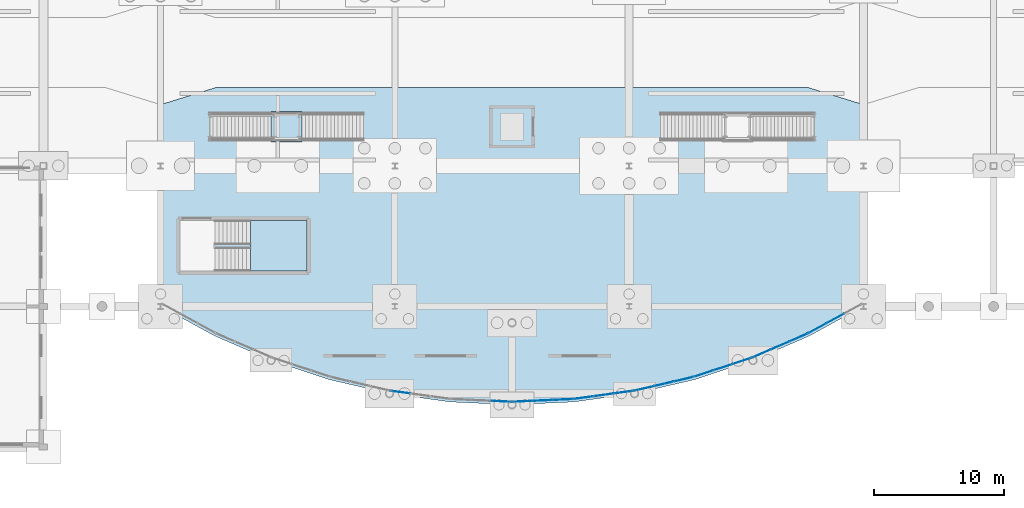
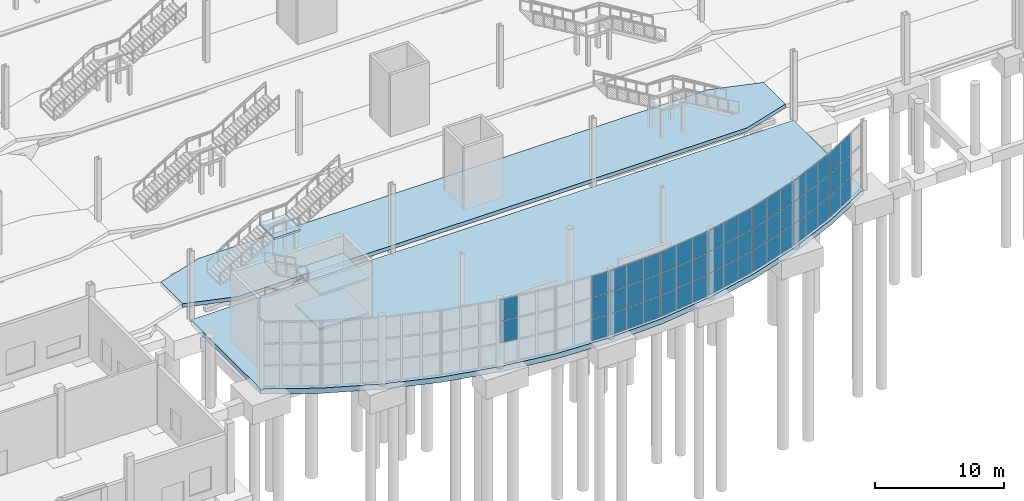
# One storey, part 77 of 115: 56 plates, 5 slabs, 10 elements without a shape of their own.
"""IFC4 building model written with IfcOpenShell, lengths in metres."""

from ifc_helpers import new_model, si_unit, direction, frame, origin, origin_2d, place, context, subcontext, project, spatial, polyline, rectangle, outline, extrude, material, layer, layer_set, type_object, element, aggregate, save


model = new_model("IFC4")

# Units and contexts
model_context = context("Model", 3, precision=1e-05, world=origin(), true_north=direction((0.0, 1.0)))
body_context = subcontext(model_context, "Body", "Model", "MODEL_VIEW")
ifc_project = project(units=[si_unit("LENGTHUNIT", "METRE"), si_unit("AREAUNIT", "SQUARE_METRE"), si_unit("VOLUMEUNIT", "CUBIC_METRE"), si_unit("PLANEANGLEUNIT", "RADIAN"), si_unit("MASSUNIT", "GRAM", prefix="KILO")], contexts=[model_context])

# Site, building, storey
site_placement = place(None, origin())
site = spatial("IfcSite", under=ifc_project, at=site_placement, CompositionType="ELEMENT")
building_placement = place(site_placement, origin())
building = spatial("IfcBuilding", under=site, at=building_placement, Name="Tamarisk Ironworks Central Station", CompositionType="ELEMENT")
storey_placement = place(building_placement, origin())
storey = spatial("IfcBuildingStorey", under=building, at=storey_placement, Name="L00", CompositionType="ELEMENT", Elevation=0.0)

# Curtain wall, plates
ifc_material_1 = material(Name="Anodized aluminium alloy 6063-T6", Category="aluminium")
ifc_layer_1 = layer(ifc_material_1, 0.179931640625)
ifc_layer_set_1 = layer_set([ifc_layer_1], Name="Anodized aluminium alloy 6063-T6")
curtain_wall_type = type_object("IfcCurtainWallType", Name="CW-01", PredefinedType="USERDEFINED", material=ifc_layer_set_1)
curtain_wall_1_placement = place(storey_placement, origin())
curtain_wall_1 = element("IfcCurtainWall", 1, at=curtain_wall_1_placement, inside=storey, type_object=curtain_wall_type, Name="SN rounded entrance hall L00 curtain wall bay 05", ObjectType="GLAZED CURTAIN WALL", PredefinedType="USERDEFINED")
ifc_material_2 = material(Name="Laminated solar-control low-E glass", Category="glass")
ifc_layer_2 = layer(ifc_material_2, 0.028076171875)
ifc_layer_set_2 = layer_set([ifc_layer_2], Name="Laminated solar-control low-E glass")
plate_type = type_object("IfcPlateType", Name="PL-CWP28", PredefinedType="CURTAIN_PANEL", material=ifc_layer_set_2)
plate_1_placement = place(storey_placement, frame((72.423095703125, 4.206787109375, 2.099853515625), z_axis=(0.0, 0.0, 1.0), x_axis=(0.990703108403, -0.136041725218, 0.0)))
plate_1 = element("IfcPlate", 2, at=plate_1_placement, type_object=plate_type, Name="CW01 panel 1.2", PredefinedType="CURTAIN_PANEL", context=body_context, shape_type="SweptSolid", body=[
    extrude(rectangle(XDim=1.484375, YDim=0.028076171875, at=origin_2d()), origin(), (0.0, 0.0, 1.0), 2.0205078125),
])
plate_2_placement = place(storey_placement, frame((72.423095703125, 4.206787109375, 4.173095703125), z_axis=(0.0, 0.0, 1.0), x_axis=(0.990703108403, -0.136041725218, 0.0)))
plate_2 = element("IfcPlate", 3, at=plate_2_placement, type_object=plate_type, Name="CW01 panel 1.3", PredefinedType="CURTAIN_PANEL", context=body_context, shape_type="SweptSolid", body=[
    extrude(rectangle(XDim=1.484375, YDim=0.028076171875, at=origin_2d()), origin(), (0.0, 0.0, 1.0), 1.98779296875),
])
aggregate(curtain_wall_1, [plate_1, plate_2])

curtain_wall_2_placement = place(storey_placement, origin())
curtain_wall_2 = element("IfcCurtainWall", 4, at=curtain_wall_2_placement, inside=storey, type_object=curtain_wall_type, Name="SN rounded entrance hall L00 curtain wall bay 06", ObjectType="GLAZED CURTAIN WALL", PredefinedType="USERDEFINED")
plate_3_placement = place(storey_placement, frame((80.19970703125, 3.49755859375, 0.05908203125), z_axis=(0.0, 0.0, 1.0), x_axis=(0.998965210312, -0.045480859558, 0.0)))
plate_3 = element("IfcPlate", 5, at=plate_3_placement, type_object=plate_type, Name="CW01 panel 3.1", PredefinedType="CURTAIN_PANEL", context=body_context, shape_type="SweptSolid", body=[
    extrude(rectangle(XDim=1.484375, YDim=0.028076171875, at=origin_2d()), origin(), (0.0, 0.0, 1.0), 1.98779296875),
])
plate_4_placement = place(storey_placement, frame((80.19970703125, 3.49755859375, 2.099853515625), z_axis=(0.0, 0.0, 1.0), x_axis=(0.998965210312, -0.045480859558, 0.0)))
plate_4 = element("IfcPlate", 6, at=plate_4_placement, type_object=plate_type, Name="CW01 panel 3.2", PredefinedType="CURTAIN_PANEL", context=body_context, shape_type="SweptSolid", body=[
    extrude(rectangle(XDim=1.484375, YDim=0.028076171875, at=origin_2d()), origin(), (0.0, 0.0, 1.0), 2.0205078125),
])
plate_5_placement = place(storey_placement, frame((80.19970703125, 3.49755859375, 4.173095703125), z_axis=(0.0, 0.0, 1.0), x_axis=(0.998965210312, -0.045480859558, 0.0)))
plate_5 = element("IfcPlate", 7, at=plate_5_placement, type_object=plate_type, Name="CW01 panel 3.3", PredefinedType="CURTAIN_PANEL", context=body_context, shape_type="SweptSolid", body=[
    extrude(rectangle(XDim=1.484375, YDim=0.028076171875, at=origin_2d()), origin(), (0.0, 0.0, 1.0), 1.98779296875),
])
aggregate(curtain_wall_2, [plate_3, plate_4, plate_5])

curtain_wall_3_placement = place(storey_placement, origin())
curtain_wall_3 = element("IfcCurtainWall", 8, at=curtain_wall_3_placement, inside=storey, type_object=curtain_wall_type, Name="SN rounded entrance hall L00 curtain wall bay 07", ObjectType="GLAZED CURTAIN WALL", PredefinedType="USERDEFINED")
plate_6_placement = place(storey_placement, frame((81.80029296875, 3.49755859375, 0.05908203125), z_axis=(0.0, 0.0, 1.0), x_axis=(0.998965210312, 0.045480859558, 0.0)))
plate_6 = element("IfcPlate", 9, at=plate_6_placement, type_object=plate_type, Name="CW01 panel 1.1", PredefinedType="CURTAIN_PANEL", context=body_context, shape_type="SweptSolid", body=[
    extrude(rectangle(XDim=1.484375, YDim=0.028076171875, at=origin_2d()), origin(), (0.0, 0.0, 1.0), 1.98779296875),
])
plate_7_placement = place(storey_placement, frame((81.80029296875, 3.49755859375, 2.099853515625), z_axis=(0.0, 0.0, 1.0), x_axis=(0.998965210312, 0.045480859558, 0.0)))
plate_7 = element("IfcPlate", 10, at=plate_7_placement, type_object=plate_type, Name="CW01 panel 1.2", PredefinedType="CURTAIN_PANEL", context=body_context, shape_type="SweptSolid", body=[
    extrude(rectangle(XDim=1.484375, YDim=0.028076171875, at=origin_2d()), origin(), (0.0, 0.0, 1.0), 2.0205078125),
])
plate_8_placement = place(storey_placement, frame((81.80029296875, 3.49755859375, 4.173095703125), z_axis=(0.0, 0.0, 1.0), x_axis=(0.998965210312, 0.045480859558, 0.0)))
plate_8 = element("IfcPlate", 11, at=plate_8_placement, type_object=plate_type, Name="CW01 panel 1.3", PredefinedType="CURTAIN_PANEL", context=body_context, shape_type="SweptSolid", body=[
    extrude(rectangle(XDim=1.484375, YDim=0.028076171875, at=origin_2d()), origin(), (0.0, 0.0, 1.0), 1.98779296875),
])
plate_9_placement = place(storey_placement, frame((83.352294921875, 3.568115234375, 0.05908203125), z_axis=(0.0, 0.0, 1.0), x_axis=(0.998965210312, 0.045480859558, 0.0)))
plate_9 = element("IfcPlate", 12, at=plate_9_placement, type_object=plate_type, Name="CW01 panel 2.1", PredefinedType="CURTAIN_PANEL", context=body_context, shape_type="SweptSolid", body=[
    extrude(rectangle(XDim=1.516845703125, YDim=0.028076171875, at=origin_2d()), origin(), (0.0, 0.0, 1.0), 1.98779296875),
])
plate_10_placement = place(storey_placement, frame((83.352294921875, 3.568115234375, 2.099853515625), z_axis=(0.0, 0.0, 1.0), x_axis=(0.998965210312, 0.045480859558, 0.0)))
plate_10 = element("IfcPlate", 13, at=plate_10_placement, type_object=plate_type, Name="CW01 panel 2.2", PredefinedType="CURTAIN_PANEL", context=body_context, shape_type="SweptSolid", body=[
    extrude(rectangle(XDim=1.516845703125, YDim=0.028076171875, at=origin_2d()), origin(), (0.0, 0.0, 1.0), 2.0205078125),
])
plate_11_placement = place(storey_placement, frame((83.352294921875, 3.568115234375, 4.173095703125), z_axis=(0.0, 0.0, 1.0), x_axis=(0.998965210312, 0.045480859558, 0.0)))
plate_11 = element("IfcPlate", 14, at=plate_11_placement, type_object=plate_type, Name="CW01 panel 2.3", PredefinedType="CURTAIN_PANEL", context=body_context, shape_type="SweptSolid", body=[
    extrude(rectangle(XDim=1.516845703125, YDim=0.028076171875, at=origin_2d()), origin(), (0.0, 0.0, 1.0), 1.98779296875),
])
plate_12_placement = place(storey_placement, frame((84.904541015625, 3.638671875, 0.05908203125), z_axis=(0.0, 0.0, 1.0), x_axis=(0.998965210312, 0.045480859558, 0.0)))
plate_12 = element("IfcPlate", 15, at=plate_12_placement, type_object=plate_type, Name="CW01 panel 3.1", PredefinedType="CURTAIN_PANEL", context=body_context, shape_type="SweptSolid", body=[
    extrude(rectangle(XDim=1.484375, YDim=0.028076171875, at=origin_2d()), origin(), (0.0, 0.0, 1.0), 1.98779296875),
])
plate_13_placement = place(storey_placement, frame((84.904541015625, 3.638671875, 2.099853515625), z_axis=(0.0, 0.0, 1.0), x_axis=(0.998965210312, 0.045480859558, 0.0)))
plate_13 = element("IfcPlate", 16, at=plate_13_placement, type_object=plate_type, Name="CW01 panel 3.2", PredefinedType="CURTAIN_PANEL", context=body_context, shape_type="SweptSolid", body=[
    extrude(rectangle(XDim=1.484375, YDim=0.028076171875, at=origin_2d()), origin(), (0.0, 0.0, 1.0), 2.0205078125),
])
plate_14_placement = place(storey_placement, frame((84.904541015625, 3.638671875, 4.173095703125), z_axis=(0.0, 0.0, 1.0), x_axis=(0.998965210312, 0.045480859558, 0.0)))
plate_14 = element("IfcPlate", 17, at=plate_14_placement, type_object=plate_type, Name="CW01 panel 3.3", PredefinedType="CURTAIN_PANEL", context=body_context, shape_type="SweptSolid", body=[
    extrude(rectangle(XDim=1.484375, YDim=0.028076171875, at=origin_2d()), origin(), (0.0, 0.0, 1.0), 1.98779296875),
])
aggregate(curtain_wall_3, [plate_6, plate_7, plate_8, plate_9, plate_10, plate_11, plate_12, plate_13, plate_14])

curtain_wall_4_placement = place(storey_placement, origin())
curtain_wall_4 = element("IfcCurtainWall", 18, at=curtain_wall_4_placement, inside=storey, type_object=curtain_wall_type, Name="SN rounded entrance hall L00 curtain wall bay 08", ObjectType="GLAZED CURTAIN WALL", PredefinedType="USERDEFINED")
plate_15_placement = place(storey_placement, frame((86.49853515625, 3.7841796875, 0.05908203125), z_axis=(0.0, 0.0, 1.0), x_axis=(0.990703108403, 0.136041725218, 0.0)))
plate_15 = element("IfcPlate", 19, at=plate_15_placement, type_object=plate_type, Name="CW01 panel 1.1", PredefinedType="CURTAIN_PANEL", context=body_context, shape_type="SweptSolid", body=[
    extrude(rectangle(XDim=1.484375, YDim=0.028076171875, at=origin_2d()), origin(), (0.0, 0.0, 1.0), 1.98779296875),
])
plate_16_placement = place(storey_placement, frame((86.49853515625, 3.7841796875, 2.099853515625), z_axis=(0.0, 0.0, 1.0), x_axis=(0.990703108403, 0.136041725218, 0.0)))
plate_16 = element("IfcPlate", 20, at=plate_16_placement, type_object=plate_type, Name="CW01 panel 1.2", PredefinedType="CURTAIN_PANEL", context=body_context, shape_type="SweptSolid", body=[
    extrude(rectangle(XDim=1.484375, YDim=0.028076171875, at=origin_2d()), origin(), (0.0, 0.0, 1.0), 2.0205078125),
])
plate_17_placement = place(storey_placement, frame((86.49853515625, 3.7841796875, 4.173095703125), z_axis=(0.0, 0.0, 1.0), x_axis=(0.990703108403, 0.136041725218, 0.0)))
plate_17 = element("IfcPlate", 21, at=plate_17_placement, type_object=plate_type, Name="CW01 panel 1.3", PredefinedType="CURTAIN_PANEL", context=body_context, shape_type="SweptSolid", body=[
    extrude(rectangle(XDim=1.484375, YDim=0.028076171875, at=origin_2d()), origin(), (0.0, 0.0, 1.0), 1.98779296875),
])
plate_18_placement = place(storey_placement, frame((88.03759765625, 3.99560546875, 0.05908203125), z_axis=(0.0, 0.0, 1.0), x_axis=(0.990703108403, 0.136041725218, 0.0)))
plate_18 = element("IfcPlate", 22, at=plate_18_placement, type_object=plate_type, Name="CW01 panel 2.1", PredefinedType="CURTAIN_PANEL", context=body_context, shape_type="SweptSolid", body=[
    extrude(rectangle(XDim=1.516845703125, YDim=0.028076171875, at=origin_2d()), origin(), (0.0, 0.0, 1.0), 1.98779296875),
])
plate_19_placement = place(storey_placement, frame((88.03759765625, 3.99560546875, 2.099853515625), z_axis=(0.0, 0.0, 1.0), x_axis=(0.990703108403, 0.136041725218, 0.0)))
plate_19 = element("IfcPlate", 23, at=plate_19_placement, type_object=plate_type, Name="CW01 panel 2.2", PredefinedType="CURTAIN_PANEL", context=body_context, shape_type="SweptSolid", body=[
    extrude(rectangle(XDim=1.516845703125, YDim=0.028076171875, at=origin_2d()), origin(), (0.0, 0.0, 1.0), 2.0205078125),
])
plate_20_placement = place(storey_placement, frame((88.03759765625, 3.99560546875, 4.173095703125), z_axis=(0.0, 0.0, 1.0), x_axis=(0.990703108403, 0.136041725218, 0.0)))
plate_20 = element("IfcPlate", 24, at=plate_20_placement, type_object=plate_type, Name="CW01 panel 2.3", PredefinedType="CURTAIN_PANEL", context=body_context, shape_type="SweptSolid", body=[
    extrude(rectangle(XDim=1.516845703125, YDim=0.028076171875, at=origin_2d()), origin(), (0.0, 0.0, 1.0), 1.98779296875),
])
plate_21_placement = place(storey_placement, frame((89.576904296875, 4.206787109375, 0.05908203125), z_axis=(0.0, 0.0, 1.0), x_axis=(0.990703108403, 0.136041725218, 0.0)))
plate_21 = element("IfcPlate", 25, at=plate_21_placement, type_object=plate_type, Name="CW01 panel 3.1", PredefinedType="CURTAIN_PANEL", context=body_context, shape_type="SweptSolid", body=[
    extrude(rectangle(XDim=1.484375, YDim=0.028076171875, at=origin_2d()), origin(), (0.0, 0.0, 1.0), 1.98779296875),
])
plate_22_placement = place(storey_placement, frame((89.576904296875, 4.206787109375, 2.099853515625), z_axis=(0.0, 0.0, 1.0), x_axis=(0.990703108403, 0.136041725218, 0.0)))
plate_22 = element("IfcPlate", 26, at=plate_22_placement, type_object=plate_type, Name="CW01 panel 3.2", PredefinedType="CURTAIN_PANEL", context=body_context, shape_type="SweptSolid", body=[
    extrude(rectangle(XDim=1.484375, YDim=0.028076171875, at=origin_2d()), origin(), (0.0, 0.0, 1.0), 2.0205078125),
])
plate_23_placement = place(storey_placement, frame((89.576904296875, 4.206787109375, 4.173095703125), z_axis=(0.0, 0.0, 1.0), x_axis=(0.990703108403, 0.136041725218, 0.0)))
plate_23 = element("IfcPlate", 27, at=plate_23_placement, type_object=plate_type, Name="CW01 panel 3.3", PredefinedType="CURTAIN_PANEL", context=body_context, shape_type="SweptSolid", body=[
    extrude(rectangle(XDim=1.484375, YDim=0.028076171875, at=origin_2d()), origin(), (0.0, 0.0, 1.0), 1.98779296875),
])
aggregate(curtain_wall_4, [plate_15, plate_16, plate_17, plate_18, plate_19, plate_20, plate_21, plate_22, plate_23])

curtain_wall_5_placement = place(storey_placement, origin())
curtain_wall_5 = element("IfcCurtainWall", 28, at=curtain_wall_5_placement, inside=storey, type_object=curtain_wall_type, Name="SN rounded entrance hall L00 curtain wall bay 09", ObjectType="GLAZED CURTAIN WALL", PredefinedType="USERDEFINED")
plate_24_placement = place(storey_placement, frame((91.151123046875, 4.49658203125, 0.05908203125), z_axis=(0.0, 0.0, 1.0), x_axis=(0.974239240545, 0.225516966506, 0.0)))
plate_24 = element("IfcPlate", 29, at=plate_24_placement, type_object=plate_type, Name="CW01 panel 1.1", PredefinedType="CURTAIN_PANEL", context=body_context, shape_type="SweptSolid", body=[
    extrude(rectangle(XDim=1.484375, YDim=0.028076171875, at=origin_2d()), origin(), (0.0, 0.0, 1.0), 1.98779296875),
])
plate_25_placement = place(storey_placement, frame((91.151123046875, 4.49658203125, 2.099853515625), z_axis=(0.0, 0.0, 1.0), x_axis=(0.974239240545, 0.225516966506, 0.0)))
plate_25 = element("IfcPlate", 30, at=plate_25_placement, type_object=plate_type, Name="CW01 panel 1.2", PredefinedType="CURTAIN_PANEL", context=body_context, shape_type="SweptSolid", body=[
    extrude(rectangle(XDim=1.484375, YDim=0.028076171875, at=origin_2d()), origin(), (0.0, 0.0, 1.0), 2.0205078125),
])
plate_26_placement = place(storey_placement, frame((91.151123046875, 4.49658203125, 4.173095703125), z_axis=(0.0, 0.0, 1.0), x_axis=(0.974239240545, 0.225516966506, 0.0)))
plate_26 = element("IfcPlate", 31, at=plate_26_placement, type_object=plate_type, Name="CW01 panel 1.3", PredefinedType="CURTAIN_PANEL", context=body_context, shape_type="SweptSolid", body=[
    extrude(rectangle(XDim=1.484375, YDim=0.028076171875, at=origin_2d()), origin(), (0.0, 0.0, 1.0), 1.98779296875),
])
plate_27_placement = place(storey_placement, frame((92.664794921875, 4.846923828125, 0.05908203125), z_axis=(0.0, 0.0, 1.0), x_axis=(0.974239240545, 0.225516966506, 0.0)))
plate_27 = element("IfcPlate", 32, at=plate_27_placement, type_object=plate_type, Name="CW01 panel 2.1", PredefinedType="CURTAIN_PANEL", context=body_context, shape_type="SweptSolid", body=[
    extrude(rectangle(XDim=1.516845703125, YDim=0.028076171875, at=origin_2d()), origin(), (0.0, 0.0, 1.0), 1.98779296875),
])
plate_28_placement = place(storey_placement, frame((92.664794921875, 4.846923828125, 2.099853515625), z_axis=(0.0, 0.0, 1.0), x_axis=(0.974239240545, 0.225516966506, 0.0)))
plate_28 = element("IfcPlate", 33, at=plate_28_placement, type_object=plate_type, Name="CW01 panel 2.2", PredefinedType="CURTAIN_PANEL", context=body_context, shape_type="SweptSolid", body=[
    extrude(rectangle(XDim=1.516845703125, YDim=0.028076171875, at=origin_2d()), origin(), (0.0, 0.0, 1.0), 2.0205078125),
])
plate_29_placement = place(storey_placement, frame((92.664794921875, 4.846923828125, 4.173095703125), z_axis=(0.0, 0.0, 1.0), x_axis=(0.974239240545, 0.225516966506, 0.0)))
plate_29 = element("IfcPlate", 34, at=plate_29_placement, type_object=plate_type, Name="CW01 panel 2.3", PredefinedType="CURTAIN_PANEL", context=body_context, shape_type="SweptSolid", body=[
    extrude(rectangle(XDim=1.516845703125, YDim=0.028076171875, at=origin_2d()), origin(), (0.0, 0.0, 1.0), 1.98779296875),
])
plate_30_placement = place(storey_placement, frame((94.178466796875, 5.197265625, 0.05908203125), z_axis=(0.0, 0.0, 1.0), x_axis=(0.974239240545, 0.225516966506, 0.0)))
plate_30 = element("IfcPlate", 35, at=plate_30_placement, type_object=plate_type, Name="CW01 panel 3.1", PredefinedType="CURTAIN_PANEL", context=body_context, shape_type="SweptSolid", body=[
    extrude(rectangle(XDim=1.484375, YDim=0.028076171875, at=origin_2d()), origin(), (0.0, 0.0, 1.0), 1.98779296875),
])
plate_31_placement = place(storey_placement, frame((94.178466796875, 5.197265625, 2.099853515625), z_axis=(0.0, 0.0, 1.0), x_axis=(0.974239240545, 0.225516966506, 0.0)))
plate_31 = element("IfcPlate", 36, at=plate_31_placement, type_object=plate_type, Name="CW01 panel 3.2", PredefinedType="CURTAIN_PANEL", context=body_context, shape_type="SweptSolid", body=[
    extrude(rectangle(XDim=1.484375, YDim=0.028076171875, at=origin_2d()), origin(), (0.0, 0.0, 1.0), 2.0205078125),
])
plate_32_placement = place(storey_placement, frame((94.178466796875, 5.197265625, 4.173095703125), z_axis=(0.0, 0.0, 1.0), x_axis=(0.974239240545, 0.225516966506, 0.0)))
plate_32 = element("IfcPlate", 37, at=plate_32_placement, type_object=plate_type, Name="CW01 panel 3.3", PredefinedType="CURTAIN_PANEL", context=body_context, shape_type="SweptSolid", body=[
    extrude(rectangle(XDim=1.484375, YDim=0.028076171875, at=origin_2d()), origin(), (0.0, 0.0, 1.0), 1.98779296875),
])
aggregate(curtain_wall_5, [plate_24, plate_25, plate_26, plate_27, plate_28, plate_29, plate_30, plate_31, plate_32])

curtain_wall_6_placement = place(storey_placement, origin())
curtain_wall_6 = element("IfcCurtainWall", 38, at=curtain_wall_6_placement, inside=storey, type_object=curtain_wall_type, Name="SN rounded entrance hall L00 curtain wall bay 10", ObjectType="GLAZED CURTAIN WALL", PredefinedType="USERDEFINED")
plate_33_placement = place(storey_placement, frame((95.7197265625, 5.62890625, 0.05908203125), z_axis=(0.0, 0.0, 1.0), x_axis=(0.949720671692, 0.313098460171, 0.0)))
plate_33 = element("IfcPlate", 39, at=plate_33_placement, type_object=plate_type, Name="CW01 panel 1.1", PredefinedType="CURTAIN_PANEL", context=body_context, shape_type="SweptSolid", body=[
    extrude(rectangle(XDim=1.484375, YDim=0.028076171875, at=origin_2d()), origin(), (0.0, 0.0, 1.0), 1.98779296875),
])
plate_34_placement = place(storey_placement, frame((95.7197265625, 5.62890625, 2.099853515625), z_axis=(0.0, 0.0, 1.0), x_axis=(0.949720671692, 0.313098460171, 0.0)))
plate_34 = element("IfcPlate", 40, at=plate_34_placement, type_object=plate_type, Name="CW01 panel 1.2", PredefinedType="CURTAIN_PANEL", context=body_context, shape_type="SweptSolid", body=[
    extrude(rectangle(XDim=1.484375, YDim=0.028076171875, at=origin_2d()), origin(), (0.0, 0.0, 1.0), 2.0205078125),
])
plate_35_placement = place(storey_placement, frame((95.7197265625, 5.62890625, 4.173095703125), z_axis=(0.0, 0.0, 1.0), x_axis=(0.949720671692, 0.313098460171, 0.0)))
plate_35 = element("IfcPlate", 41, at=plate_35_placement, type_object=plate_type, Name="CW01 panel 1.3", PredefinedType="CURTAIN_PANEL", context=body_context, shape_type="SweptSolid", body=[
    extrude(rectangle(XDim=1.484375, YDim=0.028076171875, at=origin_2d()), origin(), (0.0, 0.0, 1.0), 1.98779296875),
])
plate_36_placement = place(storey_placement, frame((97.1953125, 6.115234375, 0.05908203125), z_axis=(0.0, 0.0, 1.0), x_axis=(0.949720671692, 0.313098460171, 0.0)))
plate_36 = element("IfcPlate", 42, at=plate_36_placement, type_object=plate_type, Name="CW01 panel 2.1", PredefinedType="CURTAIN_PANEL", context=body_context, shape_type="SweptSolid", body=[
    extrude(rectangle(XDim=1.516845703125, YDim=0.028076171875, at=origin_2d()), origin(), (0.0, 0.0, 1.0), 1.98779296875),
])
plate_37_placement = place(storey_placement, frame((97.1953125, 6.115234375, 2.099853515625), z_axis=(0.0, 0.0, 1.0), x_axis=(0.949720671692, 0.313098460171, 0.0)))
plate_37 = element("IfcPlate", 43, at=plate_37_placement, type_object=plate_type, Name="CW01 panel 2.2", PredefinedType="CURTAIN_PANEL", context=body_context, shape_type="SweptSolid", body=[
    extrude(rectangle(XDim=1.516845703125, YDim=0.028076171875, at=origin_2d()), origin(), (0.0, 0.0, 1.0), 2.0205078125),
])
plate_38_placement = place(storey_placement, frame((97.1953125, 6.115234375, 4.173095703125), z_axis=(0.0, 0.0, 1.0), x_axis=(0.949720671692, 0.313098460171, 0.0)))
plate_38 = element("IfcPlate", 44, at=plate_38_placement, type_object=plate_type, Name="CW01 panel 2.3", PredefinedType="CURTAIN_PANEL", context=body_context, shape_type="SweptSolid", body=[
    extrude(rectangle(XDim=1.516845703125, YDim=0.028076171875, at=origin_2d()), origin(), (0.0, 0.0, 1.0), 1.98779296875),
])
plate_39_placement = place(storey_placement, frame((98.6708984375, 6.601806640625, 0.05908203125), z_axis=(0.0, 0.0, 1.0), x_axis=(0.949720671692, 0.313098460171, 0.0)))
plate_39 = element("IfcPlate", 45, at=plate_39_placement, type_object=plate_type, Name="CW01 panel 3.1", PredefinedType="CURTAIN_PANEL", context=body_context, shape_type="SweptSolid", body=[
    extrude(rectangle(XDim=1.484375, YDim=0.028076171875, at=origin_2d()), origin(), (0.0, 0.0, 1.0), 1.98779296875),
])
plate_40_placement = place(storey_placement, frame((98.6708984375, 6.601806640625, 2.099853515625), z_axis=(0.0, 0.0, 1.0), x_axis=(0.949720671692, 0.313098460171, 0.0)))
plate_40 = element("IfcPlate", 46, at=plate_40_placement, type_object=plate_type, Name="CW01 panel 3.2", PredefinedType="CURTAIN_PANEL", context=body_context, shape_type="SweptSolid", body=[
    extrude(rectangle(XDim=1.484375, YDim=0.028076171875, at=origin_2d()), origin(), (0.0, 0.0, 1.0), 2.0205078125),
])
plate_41_placement = place(storey_placement, frame((98.6708984375, 6.601806640625, 4.173095703125), z_axis=(0.0, 0.0, 1.0), x_axis=(0.949720671692, 0.313098460171, 0.0)))
plate_41 = element("IfcPlate", 47, at=plate_41_placement, type_object=plate_type, Name="CW01 panel 3.3", PredefinedType="CURTAIN_PANEL", context=body_context, shape_type="SweptSolid", body=[
    extrude(rectangle(XDim=1.484375, YDim=0.028076171875, at=origin_2d()), origin(), (0.0, 0.0, 1.0), 1.98779296875),
])
aggregate(curtain_wall_6, [plate_33, plate_34, plate_35, plate_36, plate_37, plate_38, plate_39, plate_40, plate_41])

curtain_wall_7_placement = place(storey_placement, origin())
curtain_wall_7 = element("IfcCurtainWall", 48, at=curtain_wall_7_placement, inside=storey, type_object=curtain_wall_type, Name="SN rounded entrance hall L00 curtain wall bay 11", ObjectType="GLAZED CURTAIN WALL", PredefinedType="USERDEFINED")
plate_42_placement = place(storey_placement, frame((100.166748046875, 7.171630859375, 0.05908203125), z_axis=(0.0, 0.0, 1.0), x_axis=(0.917352033503, 0.398076935564, 0.0)))
plate_42 = element("IfcPlate", 49, at=plate_42_placement, type_object=plate_type, Name="CW01 panel 1.1", PredefinedType="CURTAIN_PANEL", context=body_context, shape_type="SweptSolid", body=[
    extrude(rectangle(XDim=1.484375, YDim=0.028076171875, at=origin_2d()), origin(), (0.0, 0.0, 1.0), 1.98779296875),
])
plate_43_placement = place(storey_placement, frame((100.166748046875, 7.171630859375, 2.099853515625), z_axis=(0.0, 0.0, 1.0), x_axis=(0.917352033503, 0.398076935564, 0.0)))
plate_43 = element("IfcPlate", 50, at=plate_43_placement, type_object=plate_type, Name="CW01 panel 1.2", PredefinedType="CURTAIN_PANEL", context=body_context, shape_type="SweptSolid", body=[
    extrude(rectangle(XDim=1.484375, YDim=0.028076171875, at=origin_2d()), origin(), (0.0, 0.0, 1.0), 2.0205078125),
])
plate_44_placement = place(storey_placement, frame((100.166748046875, 7.171630859375, 4.173095703125), z_axis=(0.0, 0.0, 1.0), x_axis=(0.917352033503, 0.398076935564, 0.0)))
plate_44 = element("IfcPlate", 51, at=plate_44_placement, type_object=plate_type, Name="CW01 panel 1.3", PredefinedType="CURTAIN_PANEL", context=body_context, shape_type="SweptSolid", body=[
    extrude(rectangle(XDim=1.484375, YDim=0.028076171875, at=origin_2d()), origin(), (0.0, 0.0, 1.0), 1.98779296875),
])
plate_45_placement = place(storey_placement, frame((101.592041015625, 7.7900390625, 0.05908203125), z_axis=(0.0, 0.0, 1.0), x_axis=(0.917352033503, 0.398076935564, 0.0)))
plate_45 = element("IfcPlate", 52, at=plate_45_placement, type_object=plate_type, Name="CW01 panel 2.1", PredefinedType="CURTAIN_PANEL", context=body_context, shape_type="SweptSolid", body=[
    extrude(rectangle(XDim=1.516845703125, YDim=0.028076171875, at=origin_2d()), origin(), (0.0, 0.0, 1.0), 1.98779296875),
])
plate_46_placement = place(storey_placement, frame((101.592041015625, 7.7900390625, 2.099853515625), z_axis=(0.0, 0.0, 1.0), x_axis=(0.917352033503, 0.398076935564, 0.0)))
plate_46 = element("IfcPlate", 53, at=plate_46_placement, type_object=plate_type, Name="CW01 panel 2.2", PredefinedType="CURTAIN_PANEL", context=body_context, shape_type="SweptSolid", body=[
    extrude(rectangle(XDim=1.516845703125, YDim=0.028076171875, at=origin_2d()), origin(), (0.0, 0.0, 1.0), 2.0205078125),
])
plate_47_placement = place(storey_placement, frame((101.592041015625, 7.7900390625, 4.173095703125), z_axis=(0.0, 0.0, 1.0), x_axis=(0.917352033503, 0.398076935564, 0.0)))
plate_47 = element("IfcPlate", 54, at=plate_47_placement, type_object=plate_type, Name="CW01 panel 2.3", PredefinedType="CURTAIN_PANEL", context=body_context, shape_type="SweptSolid", body=[
    extrude(rectangle(XDim=1.516845703125, YDim=0.028076171875, at=origin_2d()), origin(), (0.0, 0.0, 1.0), 1.98779296875),
])
plate_48_placement = place(storey_placement, frame((103.017333984375, 8.408447265625, 0.05908203125), z_axis=(0.0, 0.0, 1.0), x_axis=(0.917352033503, 0.398076935564, 0.0)))
plate_48 = element("IfcPlate", 55, at=plate_48_placement, type_object=plate_type, Name="CW01 panel 3.1", PredefinedType="CURTAIN_PANEL", context=body_context, shape_type="SweptSolid", body=[
    extrude(rectangle(XDim=1.484375, YDim=0.028076171875, at=origin_2d()), origin(), (0.0, 0.0, 1.0), 1.98779296875),
])
plate_49_placement = place(storey_placement, frame((103.017333984375, 8.408447265625, 2.099853515625), z_axis=(0.0, 0.0, 1.0), x_axis=(0.917352033503, 0.398076935564, 0.0)))
plate_49 = element("IfcPlate", 56, at=plate_49_placement, type_object=plate_type, Name="CW01 panel 3.2", PredefinedType="CURTAIN_PANEL", context=body_context, shape_type="SweptSolid", body=[
    extrude(rectangle(XDim=1.484375, YDim=0.028076171875, at=origin_2d()), origin(), (0.0, 0.0, 1.0), 2.0205078125),
])
plate_50_placement = place(storey_placement, frame((103.017333984375, 8.408447265625, 4.173095703125), z_axis=(0.0, 0.0, 1.0), x_axis=(0.917352033503, 0.398076935564, 0.0)))
plate_50 = element("IfcPlate", 57, at=plate_50_placement, type_object=plate_type, Name="CW01 panel 3.3", PredefinedType="CURTAIN_PANEL", context=body_context, shape_type="SweptSolid", body=[
    extrude(rectangle(XDim=1.484375, YDim=0.028076171875, at=origin_2d()), origin(), (0.0, 0.0, 1.0), 1.98779296875),
])
aggregate(curtain_wall_7, [plate_42, plate_43, plate_44, plate_45, plate_46, plate_47, plate_48, plate_49, plate_50])

curtain_wall_8_placement = place(storey_placement, origin())
curtain_wall_8 = element("IfcCurtainWall", 58, at=curtain_wall_8_placement, inside=storey, type_object=curtain_wall_type, Name="SN rounded entrance hall L00 curtain wall bay 12", ObjectType="GLAZED CURTAIN WALL", PredefinedType="USERDEFINED")
plate_51_placement = place(storey_placement, frame((104.455078125, 9.11181640625, 0.05908203125), z_axis=(0.0, 0.0, 1.0), x_axis=(0.877374910495, 0.47980544644, 0.0)))
plate_51 = element("IfcPlate", 59, at=plate_51_placement, type_object=plate_type, Name="CW01 panel 1.1", PredefinedType="CURTAIN_PANEL", context=body_context, shape_type="SweptSolid", body=[
    extrude(rectangle(XDim=1.484375, YDim=0.028076171875, at=origin_2d()), origin(), (0.0, 0.0, 1.0), 1.98779296875),
])
plate_52_placement = place(storey_placement, frame((104.455078125, 9.11181640625, 2.099853515625), z_axis=(0.0, 0.0, 1.0), x_axis=(0.877374910495, 0.47980544644, 0.0)))
plate_52 = element("IfcPlate", 60, at=plate_52_placement, type_object=plate_type, Name="CW01 panel 1.2", PredefinedType="CURTAIN_PANEL", context=body_context, shape_type="SweptSolid", body=[
    extrude(rectangle(XDim=1.484375, YDim=0.028076171875, at=origin_2d()), origin(), (0.0, 0.0, 1.0), 2.0205078125),
])
plate_53_placement = place(storey_placement, frame((104.455078125, 9.11181640625, 4.173095703125), z_axis=(0.0, 0.0, 1.0), x_axis=(0.877374910495, 0.47980544644, 0.0)))
plate_53 = element("IfcPlate", 61, at=plate_53_placement, type_object=plate_type, Name="CW01 panel 1.3", PredefinedType="CURTAIN_PANEL", context=body_context, shape_type="SweptSolid", body=[
    extrude(rectangle(XDim=1.484375, YDim=0.028076171875, at=origin_2d()), origin(), (0.0, 0.0, 1.0), 1.98779296875),
])
plate_54_placement = place(storey_placement, frame((105.818359375, 9.857177734375, 0.05908203125), z_axis=(0.0, 0.0, 1.0), x_axis=(0.877374910495, 0.47980544644, 0.0)))
plate_54 = element("IfcPlate", 62, at=plate_54_placement, type_object=plate_type, Name="CW01 panel 2.1", PredefinedType="CURTAIN_PANEL", context=body_context, shape_type="SweptSolid", body=[
    extrude(rectangle(XDim=1.516845703125, YDim=0.028076171875, at=origin_2d()), origin(), (0.0, 0.0, 1.0), 1.98779296875),
])
plate_55_placement = place(storey_placement, frame((105.818359375, 9.857177734375, 2.099853515625), z_axis=(0.0, 0.0, 1.0), x_axis=(0.877374910495, 0.47980544644, 0.0)))
plate_55 = element("IfcPlate", 63, at=plate_55_placement, type_object=plate_type, Name="CW01 panel 2.2", PredefinedType="CURTAIN_PANEL", context=body_context, shape_type="SweptSolid", body=[
    extrude(rectangle(XDim=1.516845703125, YDim=0.028076171875, at=origin_2d()), origin(), (0.0, 0.0, 1.0), 2.0205078125),
])
plate_56_placement = place(storey_placement, frame((105.818359375, 9.857177734375, 4.173095703125), z_axis=(0.0, 0.0, 1.0), x_axis=(0.877374910495, 0.47980544644, 0.0)))
plate_56 = element("IfcPlate", 64, at=plate_56_placement, type_object=plate_type, Name="CW01 panel 2.3", PredefinedType="CURTAIN_PANEL", context=body_context, shape_type="SweptSolid", body=[
    extrude(rectangle(XDim=1.516845703125, YDim=0.028076171875, at=origin_2d()), origin(), (0.0, 0.0, 1.0), 1.98779296875),
])
aggregate(curtain_wall_8, [plate_51, plate_52, plate_53, plate_54, plate_55, plate_56])

# Slab
ifc_material_3 = material(Name="Concrete C40/50", Category="concrete")
ifc_layer_3 = layer(ifc_material_3, 0.5)
ifc_layer_set_3 = layer_set([ifc_layer_3], Name="Concrete C40/50")
slab_type_1 = type_object("IfcSlabType", Name="SL-BS500", PredefinedType="BASESLAB", material=ifc_layer_set_3)
slab_1_placement = place(storey_placement, frame((0.0, 0.0, -0.5)))
element("IfcSlab", 65, at=slab_1_placement, inside=storey, type_object=slab_type_1, Name="L00 South Rounded Entrance Ticket Hall Base Slab", PredefinedType="BASESLAB", context=body_context, shape_type="SweptSolid", body=[
    extrude(outline(polyline([(54.0, 10.800048828125), (58.14990234375, 8.530517578125), (62.48876953125, 6.6474609375), (66.98095703125, 5.166259765625), (71.589111328125, 4.099609375), (76.27490234375, 3.4560546875), (81.0, 3.240966796875), (85.72509765625, 3.4560546875), (90.410888671875, 4.099609375), (95.01904296875, 5.166259765625), (99.51123046875, 6.6474609375), (103.85009765625, 8.530517578125), (108.0, 10.800048828125), (108.0, 21.60009765625), (54.0, 21.60009765625), (54.0, 10.800048828125)])), origin(), (0.0, 0.0, 1.0), 0.5),
])

# Stair, slabs
ifc_material_4 = material(Name="Concrete C35/45", Category="concrete")
stair_type_1 = type_object("IfcStairType", Name="ST-CORE-D", PredefinedType="HALF_TURN_STAIR", material=ifc_material_4)
stair_1_placement = place(storey_placement, origin())
stair_1 = element("IfcStair", 66, at=stair_1_placement, inside=storey, type_object=stair_type_1, Name="L00 South Concourse Exit Stair Core 8", PredefinedType="HALF_TURN_STAIR")
ifc_layer_4 = layer(ifc_material_4, 0.215087890625)
ifc_layer_set_4 = layer_set([ifc_layer_4], Name="Concrete C35/45")
slab_type_2 = type_object("IfcSlabType", Name="SL-LD220", PredefinedType="LANDING", material=ifc_layer_set_4)
slab_2_placement = place(storey_placement, frame((0.0, 0.0, 1.449951171875)))
slab_2 = element("IfcSlab", 67, at=slab_2_placement, type_object=slab_type_2, Name="ST-C8 landing 1", PredefinedType="LANDING", context=body_context, shape_type="SweptSolid", body=[
    extrude(outline(polyline([(60.89990234375, 13.5), (65.25, 13.5), (65.25, 17.39990234375), (60.89990234375, 17.39990234375), (60.89990234375, 13.5)])), origin(), (0.0, 0.0, 1.0), 0.199951171875),
])
slab_3_placement = place(storey_placement, frame((0.0, 0.0, 4.75)))
slab_3 = element("IfcSlab", 68, at=slab_3_placement, type_object=slab_type_2, Name="ST-C8 landing 3", PredefinedType="LANDING", context=body_context, shape_type="SweptSolid", body=[
    extrude(outline(polyline([(60.89990234375, 13.5), (65.25, 13.5), (65.25, 17.39990234375), (60.89990234375, 17.39990234375), (60.89990234375, 13.5)])), origin(), (0.0, 0.0, 1.0), 0.199951171875),
])
aggregate(stair_1, [slab_2, slab_3])

# Stair, slab
stair_type_2 = type_object("IfcStairType", Name="ST-PLAT", PredefinedType="TWO_STRAIGHT_RUN_STAIR", material=ifc_material_4)
stair_2_placement = place(storey_placement, origin())
stair_2 = element("IfcStair", 69, at=stair_2_placement, inside=storey, type_object=stair_type_2, Name="Platform 1 Boarding Stair ST-P1A", PredefinedType="TWO_STRAIGHT_RUN_STAIR")
slab_4_placement = place(storey_placement, frame((0.0, 0.0, 3.445068359375)))
slab_4 = element("IfcSlab", 70, at=slab_4_placement, type_object=slab_type_2, Name="STP1 landing 1", PredefinedType="LANDING", context=body_context, shape_type="SweptSolid", body=[
    extrude(outline(polyline([(62.5, 23.419921875), (64.860107421875, 23.419921875), (64.860107421875, 25.780029296875), (62.5, 25.780029296875), (62.5, 23.419921875)])), origin(), (0.0, 0.0, 1.0), 0.21484375),
])
aggregate(stair_2, [slab_4])

# Slab
ifc_material_5 = material(Name="Precast concrete C45/55", Category="concrete")
ifc_layer_5 = layer(ifc_material_5, 0.35009765625)
ifc_layer_set_5 = layer_set([ifc_layer_5], Name="Precast concrete C45/55")
slab_type_3 = type_object("IfcSlabType", Name="SL-PL350", PredefinedType="FLOOR", material=ifc_layer_set_5)
slab_5_placement = place(storey_placement, frame((0.0, 0.0, 0.3701171875)))
element("IfcSlab", 71, at=slab_5_placement, inside=storey, type_object=slab_type_3, Name="L00 Platform 1 Raised Boarding Deck M", PredefinedType="FLOOR", context=body_context, shape_type="SweptSolid", body=[
    extrude(outline(polyline([(58.199951171875, 21.60009765625), (103.800048828125, 21.60009765625), (108.0, 22.89990234375), (108.0, 26.300048828125), (103.800048828125, 27.60009765625), (58.199951171875, 27.60009765625), (54.0, 26.300048828125), (54.0, 22.89990234375), (58.199951171875, 21.60009765625)])), origin(), (0.0, 0.0, 1.0), 0.349853515625),
])

save(model, "model.ifc")
